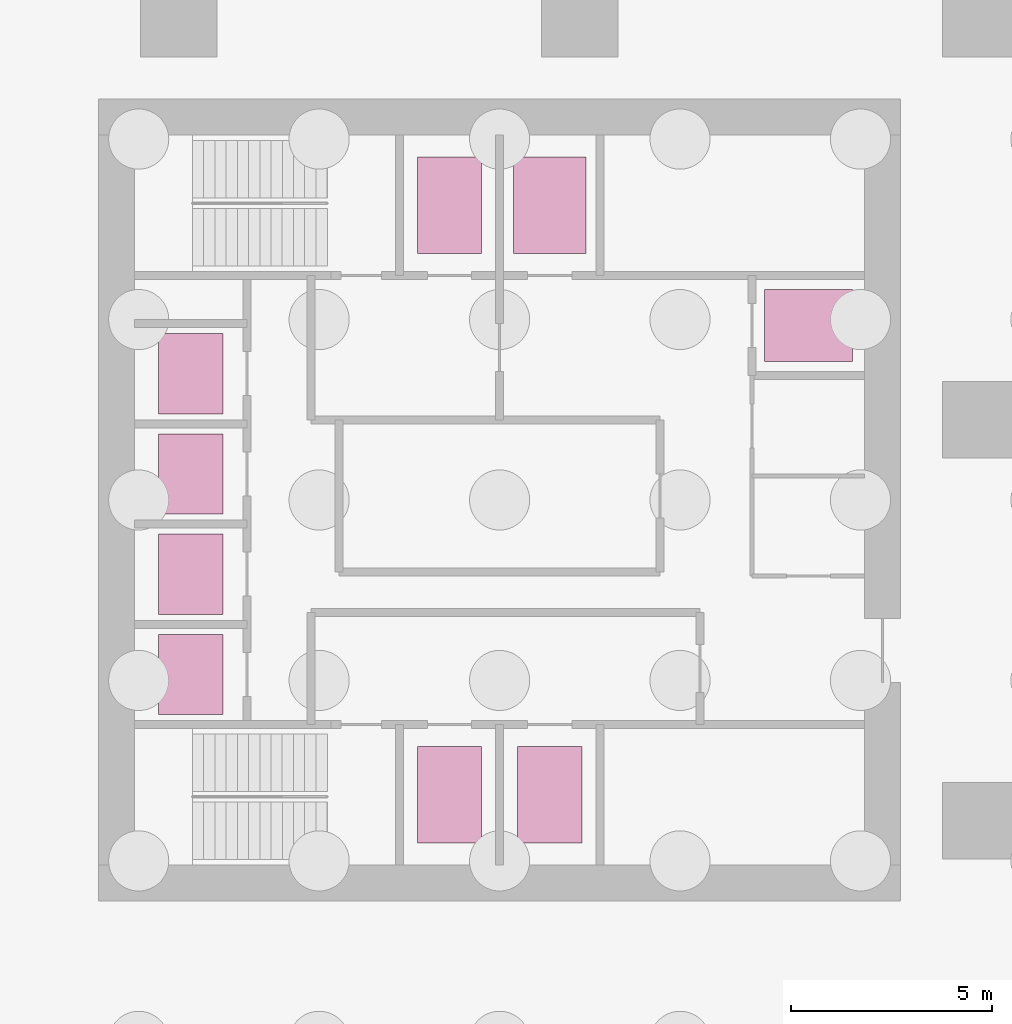
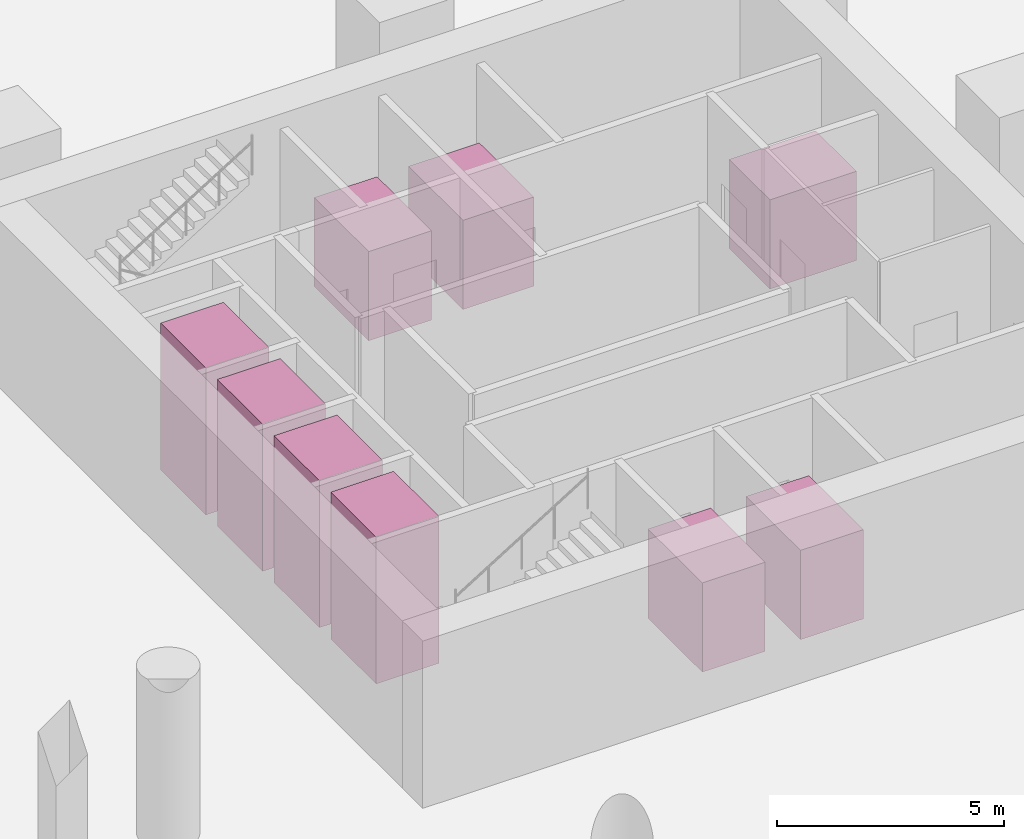
# One storey, part 19 of 19: 9 transport elements.
"""IFC4 building model written with IfcOpenShell, lengths in metres."""

from ifc_helpers import new_model, si_unit, direction, frame, origin, origin_2d, place, context, subcontext, project, spatial, rectangle, extrude, material, type_object, element, save


model = new_model("IFC4")

# Units and contexts
model_context = context("Model", 3, precision=1e-05, world=origin(), true_north=direction((0.0, 1.0)))
body_context = subcontext(model_context, "Body", "Model", "MODEL_VIEW")
ifc_project = project(units=[si_unit("LENGTHUNIT", "METRE"), si_unit("AREAUNIT", "SQUARE_METRE"), si_unit("VOLUMEUNIT", "CUBIC_METRE"), si_unit("PLANEANGLEUNIT", "RADIAN"), si_unit("MASSUNIT", "GRAM", prefix="KILO")], contexts=[model_context])

# Site, building, storey
site_placement = place(None, origin())
site = spatial("IfcSite", under=ifc_project, at=site_placement, CompositionType="ELEMENT")
building_placement = place(site_placement, origin())
building = spatial("IfcBuilding", under=site, at=building_placement, Name="Qaws Garden Tower", CompositionType="ELEMENT")
storey_placement = place(building_placement, frame((0.0, 0.0, -9.0)))
storey = spatial("IfcBuildingStorey", under=building, at=storey_placement, Name="B2", CompositionType="ELEMENT", Elevation=-9.0)

# Transport elements
ifc_material_1 = material(Name="Stainless steel 316", Category="steel")
transport_element_type_1 = type_object("IfcTransportElementType", Name="Fire-fighting lift car 1600x2400 2000 kg", PredefinedType="ELEVATOR", material=ifc_material_1)
for number, where, z_axis, x_axis, name in (
    (1, (16.75, 10.64990234375, 0.0), (0.0, 0.0, 1.0), (1.0, 0.0, 0.0), "FF1"),
    (2, (19.25, 10.64990234375, 0.0), (0.0, 0.0, 1.0), (1.0, 0.0, 0.0), "FF2"),
    (3, (16.75, 25.35009765625, 0.0), (0.0, 0.0, 1.0), (1.0, 0.0, 0.0), "FF3"),
):
    element("IfcTransportElement", number, at=place(storey_placement, frame(where, z_axis=z_axis, x_axis=x_axis)), inside=storey, type_object=transport_element_type_1, Name=name, PredefinedType="ELEVATOR", context=body_context, shape_type="SweptSolid", body=[
        extrude(rectangle(XDim=1.60009765625, YDim=2.39990234375, at=origin_2d()), origin(), (0.0, 0.0, 1.0), 2.39990234375),
    ])
ifc_material_2 = material(Name="Stainless steel 316", Category="steel")
transport_element_type_2 = type_object("IfcTransportElementType", Name="Passenger lift car 2000x1600 1800 kg", PredefinedType="ELEVATOR", material=ifc_material_2)
for number, where, z_axis, x_axis, name in (
    (4, (10.300048828125, 13.64990234375, 0.0), (0.0, 0.0, 1.0), (1.0, 0.0, 0.0), "LR1"),
    (5, (10.300048828125, 16.14990234375, 0.0), (0.0, 0.0, 1.0), (1.0, 0.0, 0.0), "LR2"),
    (6, (10.300048828125, 18.64990234375, 0.0), (0.0, 0.0, 1.0), (1.0, 0.0, 0.0), "LR3"),
    (7, (10.300048828125, 21.14990234375, 0.0), (0.0, 0.0, 1.0), (1.0, 0.0, 0.0), "LR4"),
):
    element("IfcTransportElement", number, at=place(storey_placement, frame(where, z_axis=z_axis, x_axis=x_axis)), inside=storey, type_object=transport_element_type_2, Name=name, PredefinedType="ELEVATOR", context=body_context, shape_type="SweptSolid", body=[
        extrude(rectangle(XDim=1.60009765625, YDim=2.0, at=origin_2d()), origin(), (0.0, 0.0, 1.0), 3.949951171875),
    ])
ifc_material_3 = material(Name="Stainless steel 316", Category="steel")
transport_element_type_3 = type_object("IfcTransportElementType", Name="Service lift car 1800x2200 2000 kg", PredefinedType="ELEVATOR", material=ifc_material_3)
transport_element_1_placement = place(storey_placement, frame((25.699951171875, 22.35009765625, 0.0), z_axis=(0.0, 0.0, 1.0), x_axis=(1.0, 0.0, 0.0)))
element("IfcTransportElement", 8, at=transport_element_1_placement, inside=storey, type_object=transport_element_type_3, Name="SV1", PredefinedType="ELEVATOR", context=body_context, shape_type="SweptSolid", body=[
    extrude(rectangle(XDim=2.199951171875, YDim=1.800048828125, at=origin_2d()), origin(), (0.0, 0.0, 1.0), 2.39990234375),
])
ifc_material_4 = material(Name="Stainless steel 316", Category="steel")
transport_element_type_4 = type_object("IfcTransportElementType", Name="Service lift car 1800x2400 2500 kg", PredefinedType="ELEVATOR", material=ifc_material_4)
transport_element_2_placement = place(storey_placement, frame((19.25, 25.35009765625, 0.0), z_axis=(0.0, 0.0, 1.0), x_axis=(1.0, 0.0, 0.0)))
element("IfcTransportElement", 9, at=transport_element_2_placement, inside=storey, type_object=transport_element_type_4, Name="SV2", PredefinedType="ELEVATOR", context=body_context, shape_type="SweptSolid", body=[
    extrude(rectangle(XDim=1.800048828125, YDim=2.39990234375, at=origin_2d()), origin(), (0.0, 0.0, 1.0), 2.39990234375),
])

save(model, "model.ifc")
